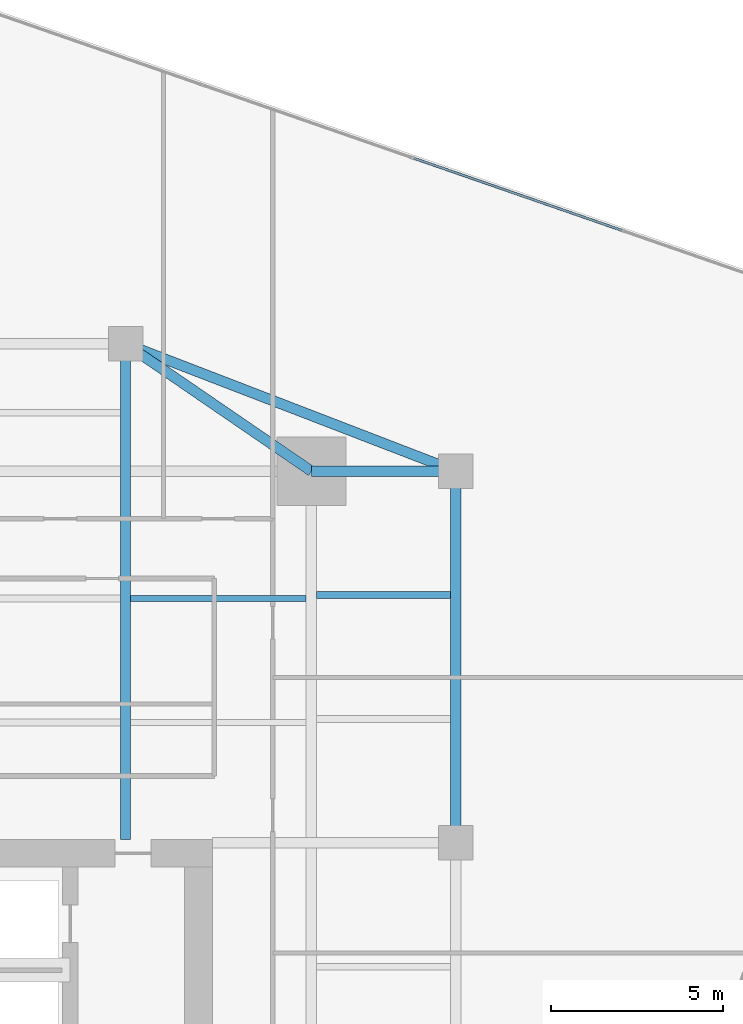
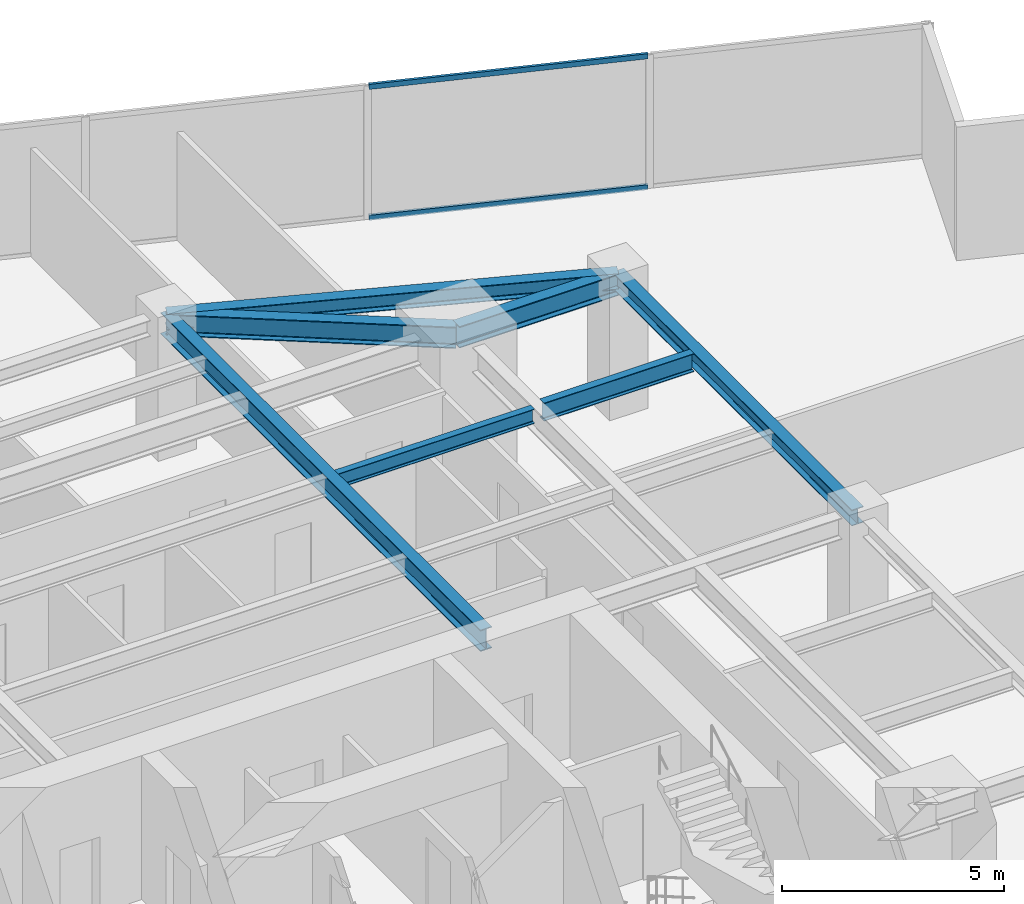
# One storey, part 19 of 27: 7 beams, 2 members, 1 element without a shape of its own.
"""IFC4 building model written with IfcOpenShell, lengths in metres."""

from ifc_helpers import new_model, si_unit, direction, frame, origin, origin_2d, place, context, subcontext, project, spatial, hollow_rectangle, i_section, extrude, source, transform, mapped, material, material_profile, profile_set, type_object, type_shapes, element, aggregate, save


model = new_model("IFC4")

# Units and contexts
model_context = context("Model", 3, precision=1e-05, world=origin(), true_north=direction((0.0, 1.0)))
body_context = subcontext(model_context, "Body", "Model", "MODEL_VIEW")
ifc_project = project(units=[si_unit("LENGTHUNIT", "METRE"), si_unit("AREAUNIT", "SQUARE_METRE"), si_unit("VOLUMEUNIT", "CUBIC_METRE"), si_unit("PLANEANGLEUNIT", "RADIAN"), si_unit("MASSUNIT", "GRAM", prefix="KILO")], contexts=[model_context])

# Site, building, storey
site_placement = place(None, origin())
site = spatial("IfcSite", under=ifc_project, at=site_placement, CompositionType="ELEMENT")
building_placement = place(site_placement, origin())
building = spatial("IfcBuilding", under=site, at=building_placement, Name="Krantzveldt Concourse Tower", CompositionType="ELEMENT")
storey_placement = place(building_placement, frame((0.0, 0.0, 121.64990234375)))
storey = spatial("IfcBuildingStorey", under=building, at=storey_placement, Name="L29", CompositionType="ELEMENT", Elevation=121.64990234375)

# Beams
ifc_material_1 = material(Name="Steel S355JR", Category="steel")
ifc_material_profile_1 = material_profile(ifc_material_1, i_section(OverallWidth=0.300048828125, OverallDepth=0.590087890625, WebThickness=0.012939453125, FlangeThickness=0.02490234375, FilletRadius=0.027099609375, at=origin_2d()), Name="Steel S355JR", Category="steel")
ifc_profile_set_1 = profile_set([ifc_material_profile_1], Name="Steel S355JR - HEA 600")
beam_type_1 = type_object("IfcBeamType", Name="BM-B-HEA600", PredefinedType="BEAM", material=ifc_profile_set_1)
shared_shape_1 = source(origin(), body_context, "Body", "SweptSolid", [
    extrude(i_section(OverallWidth=0.300048828125, OverallDepth=0.590087890625, WebThickness=0.012939453125, FlangeThickness=0.02490234375, FilletRadius=0.027099609375, at=origin_2d()), origin(), (0.0, 0.0, 1.0), 14.39990234375),
])
beam_1_placement = place(storey_placement, frame((41.39990234375, 26.800048828125, 3.375), z_axis=(0.0, 1.0, 0.0), x_axis=(-1.0, 0.0, 0.0)))
element("IfcBeam", 1, at=beam_1_placement, inside=storey, type_object=beam_type_1, Name="L29 Tower Girder BG-CNE", PredefinedType="BEAM", context=body_context, shape_type="MappedRepresentation", body=[
    mapped(shared_shape_1, transform((0.0, 0.0, 0.0), x_axis=(1.0, 0.0, 0.0), y_axis=(0.0, 1.0, 0.0), z_axis=(0.0, 0.0, 1.0), scale=1.0)),
])
ifc_material_profile_2 = material_profile(ifc_material_1, i_section(OverallWidth=0.300048828125, OverallDepth=0.43994140625, WebThickness=0.011474609375, FlangeThickness=0.02099609375, FilletRadius=0.027099609375, at=origin_2d()), Name="Steel S355JR", Category="steel")
ifc_profile_set_2 = profile_set([ifc_material_profile_2], Name="Steel S355JR - HEA 450")
beam_type_2 = type_object("IfcBeamType", Name="BM-SP-HEA450", PredefinedType="SPANDREL", material=ifc_profile_set_2)
shared_shape_2 = source(origin(), body_context, "Body", "SweptSolid", [
    extrude(i_section(OverallWidth=0.300048828125, OverallDepth=0.43994140625, WebThickness=0.011474609375, FlangeThickness=0.02099609375, FilletRadius=0.027099609375, at=origin_2d()), origin(), (0.0, 0.0, 1.0), 10.800048828125),
])
beam_2_placement = place(storey_placement, frame((51.0, 37.5, 3.4501953125), z_axis=(0.0, -1.0, 0.0), x_axis=(1.0, 0.0, 0.0)))
element("IfcBeam", 2, at=beam_2_placement, inside=storey, type_object=beam_type_2, Name="L29 Tower Girder SP-R06", PredefinedType="SPANDREL", context=body_context, shape_type="MappedRepresentation", body=[
    mapped(shared_shape_2, transform((0.0, 0.0, 0.0), x_axis=(1.0, 0.0, 0.0), y_axis=(0.0, 1.0, 0.0), z_axis=(0.0, 0.0, 1.0), scale=1.0)),
])
shared_shape_3 = source(origin(), body_context, "Body", "SweptSolid", [
    extrude(i_section(OverallWidth=0.300048828125, OverallDepth=0.43994140625, WebThickness=0.011474609375, FlangeThickness=0.02099609375, FilletRadius=0.027099609375, at=origin_2d()), origin(), (0.0, 0.0, 1.0), 10.288330078125),
])
type_shapes(beam_type_2, [shared_shape_2, shared_shape_3])
beam_3_placement = place(storey_placement, frame((41.39990234375, 41.199951171875, 3.4501953125), z_axis=(0.933097690408, -0.359622997257, 0.0), x_axis=(0.359622997257, 0.933097690408, 0.0)))
element("IfcBeam", 3, at=beam_3_placement, inside=storey, type_object=beam_type_2, Name="L29 Tower Girder SP-R05", PredefinedType="SPANDREL", context=body_context, shape_type="MappedRepresentation", body=[
    mapped(shared_shape_3, transform((0.0, 0.0, 0.0), x_axis=(1.0, 0.0, 0.0), y_axis=(0.0, 1.0, 0.0), z_axis=(0.0, 0.0, 1.0), scale=1.0)),
])
shared_shape_4 = source(origin(), body_context, "Body", "SweptSolid", [
    extrude(i_section(OverallWidth=0.300048828125, OverallDepth=0.590087890625, WebThickness=0.012939453125, FlangeThickness=0.02490234375, FilletRadius=0.027099609375, at=origin_2d()), origin(), (0.0, 0.0, 1.0), 4.199951171875),
])
beam_4_placement = place(storey_placement, frame((46.800048828125, 37.5, 3.375), z_axis=(1.0, 0.0, 0.0), x_axis=(0.0, 1.0, 0.0)))
element("IfcBeam", 4, at=beam_4_placement, inside=storey, type_object=beam_type_1, Name="L29 Tower Girder BR-RR3", PredefinedType="BEAM", context=body_context, shape_type="MappedRepresentation", body=[
    mapped(shared_shape_4, transform((0.0, 0.0, 0.0), x_axis=(1.0, 0.0, 0.0), y_axis=(0.0, 1.0, 0.0), z_axis=(0.0, 0.0, 1.0), scale=1.0)),
])
shared_shape_5 = source(origin(), body_context, "Body", "SweptSolid", [
    extrude(i_section(OverallWidth=0.300048828125, OverallDepth=0.590087890625, WebThickness=0.012939453125, FlangeThickness=0.02490234375, FilletRadius=0.027099609375, at=origin_2d()), origin(), (0.0, 0.0, 1.0), 6.546142578125),
])
type_shapes(beam_type_1, [shared_shape_1, shared_shape_4, shared_shape_5])
beam_5_placement = place(storey_placement, frame((46.800048828125, 37.5, 3.375), z_axis=(-0.824942999484, 0.565215930068, 0.0), x_axis=(-0.565215930068, -0.824942999484, 0.0)))
element("IfcBeam", 5, at=beam_5_placement, inside=storey, type_object=beam_type_1, Name="L29 Tower Girder BR-RR4", PredefinedType="BEAM", context=body_context, shape_type="MappedRepresentation", body=[
    mapped(shared_shape_5, transform((0.0, 0.0, 0.0), x_axis=(1.0, 0.0, 0.0), y_axis=(0.0, 1.0, 0.0), z_axis=(0.0, 0.0, 1.0), scale=1.0)),
])
ifc_material_profile_3 = material_profile(ifc_material_1, i_section(OverallWidth=0.179931640625, OverallDepth=0.39990234375, WebThickness=0.008544921875, FlangeThickness=0.013427734375, FilletRadius=0.02099609375, at=origin_2d()), Name="Steel S355JR", Category="steel")
ifc_profile_set_3 = profile_set([ifc_material_profile_3], Name="Steel S355JR - IPE 400")
beam_type_3 = type_object("IfcBeamType", Name="BM-J-IPE400", PredefinedType="JOIST", material=ifc_profile_set_3)
shared_shape_6 = source(origin(), body_context, "Body", "SweptSolid", [
    extrude(i_section(OverallWidth=0.179931640625, OverallDepth=0.39990234375, WebThickness=0.008544921875, FlangeThickness=0.013427734375, FilletRadius=0.02099609375, at=origin_2d()), origin(), (0.0, 0.0, 1.0), 5.099853515625),
])
type_shapes(beam_type_3, [shared_shape_6])
beam_6_placement = place(storey_placement, frame((41.550048828125, 33.800048828125, 3.47021484375), z_axis=(1.0, 0.0, 0.0), x_axis=(0.0, 1.0, 0.0)))
element("IfcBeam", 6, at=beam_6_placement, inside=storey, type_object=beam_type_3, Name="L29 Secondary Floor Joist JN-E2", PredefinedType="JOIST", context=body_context, shape_type="MappedRepresentation", body=[
    mapped(shared_shape_6, transform((0.0, 0.0, 0.0), x_axis=(1.0, 0.0, 0.0), y_axis=(0.0, 1.0, 0.0), z_axis=(0.0, 0.0, 1.0), scale=1.0)),
])
ifc_material_profile_4 = material_profile(ifc_material_1, i_section(OverallWidth=0.199951171875, OverallDepth=0.5, WebThickness=0.01025390625, FlangeThickness=0.01611328125, FilletRadius=0.02099609375, at=origin_2d()), Name="Steel S355JR", Category="steel")
ifc_profile_set_4 = profile_set([ifc_material_profile_4], Name="Steel S355JR - IPE 500")
beam_type_4 = type_object("IfcBeamType", Name="BM-J-IPE500", PredefinedType="JOIST", material=ifc_profile_set_4)
shared_shape_7 = source(origin(), body_context, "Body", "SweptSolid", [
    extrude(i_section(OverallWidth=0.199951171875, OverallDepth=0.5, WebThickness=0.01025390625, FlangeThickness=0.01611328125, FilletRadius=0.02099609375, at=origin_2d()), origin(), (0.0, 0.0, 1.0), 3.900146484375),
])
type_shapes(beam_type_4, [shared_shape_7])
beam_7_placement = place(storey_placement, frame((46.949951171875, 33.89990234375, 3.420166015625), z_axis=(1.0, 0.0, 0.0), x_axis=(0.0, 1.0, 0.0)))
element("IfcBeam", 7, at=beam_7_placement, inside=storey, type_object=beam_type_4, Name="L29 Secondary Floor Joist JE-4", PredefinedType="JOIST", context=body_context, shape_type="MappedRepresentation", body=[
    mapped(shared_shape_7, transform((0.0, 0.0, 0.0), x_axis=(1.0, 0.0, 0.0), y_axis=(0.0, 1.0, 0.0), z_axis=(0.0, 0.0, 1.0), scale=1.0)),
])

# Curtain wall, members
ifc_material_2 = material(Name="Anodised aluminium 6063-T6", Category="aluminium")
curtain_wall_type = type_object("IfcCurtainWallType", Name="CW2", PredefinedType="USERDEFINED", material=ifc_material_2)
curtain_wall_placement = place(storey_placement, origin())
curtain_wall = element("IfcCurtainWall", 8, at=curtain_wall_placement, inside=storey, type_object=curtain_wall_type, Name="CW-L29-F10", ObjectType="UNITISED CURTAIN WALL", PredefinedType="USERDEFINED")
ifc_material_profile_5 = material_profile(ifc_material_2, hollow_rectangle(XDim=0.070068359375, YDim=0.139892578125, WallThickness=0.0048828125, at=origin_2d()), Name="Anodised aluminium 6063-T6", Category="aluminium")
ifc_profile_set_5 = profile_set([ifc_material_profile_5], Name="Anodised aluminium 6063-T6 - ALU-TRAN 140x70x5")
member_type = type_object("IfcMemberType", Name="CW-TRN-150", PredefinedType="USERDEFINED", material=ifc_profile_set_5)
shared_shape_8 = source(origin(), body_context, "Body", "SweptSolid", [
    extrude(hollow_rectangle(XDim=0.070068359375, YDim=0.139892578125, WallThickness=0.0048828125, at=origin_2d()), origin(), (0.0, 0.0, 1.0), 6.396728515625),
])
type_shapes(member_type, [shared_shape_8])
member_1_placement = place(storey_placement, frame((55.823486328125, 44.49755859375, 0.03515625), z_axis=(-0.944809422525, 0.327620443666, 0.0), x_axis=(-0.327620443666, -0.944809422525, 0.0)))
member_1 = element("IfcMember", 9, at=member_1_placement, type_object=member_type, Name="CW-Z12 transom 2.1", ObjectType="TRANSOM", PredefinedType="USERDEFINED", context=body_context, shape_type="MappedRepresentation", body=[
    mapped(shared_shape_8, transform((0.0, 0.0, 0.0), x_axis=(1.0, 0.0, 0.0), y_axis=(0.0, 1.0, 0.0), z_axis=(0.0, 0.0, 1.0), scale=1.0)),
])
member_2_placement = place(storey_placement, frame((55.823486328125, 44.49755859375, 3.635009765625), z_axis=(-0.944809422525, 0.327620443666, 0.0), x_axis=(-0.327620443666, -0.944809422525, 0.0)))
member_2 = element("IfcMember", 10, at=member_2_placement, type_object=member_type, Name="CW-Z12 transom 2.2", ObjectType="TRANSOM", PredefinedType="USERDEFINED", context=body_context, shape_type="MappedRepresentation", body=[
    mapped(shared_shape_8, transform((0.0, 0.0, 0.0), x_axis=(1.0, 0.0, 0.0), y_axis=(0.0, 1.0, 0.0), z_axis=(0.0, 0.0, 1.0), scale=1.0)),
])
aggregate(curtain_wall, [member_1, member_2])

save(model, "model.ifc")
